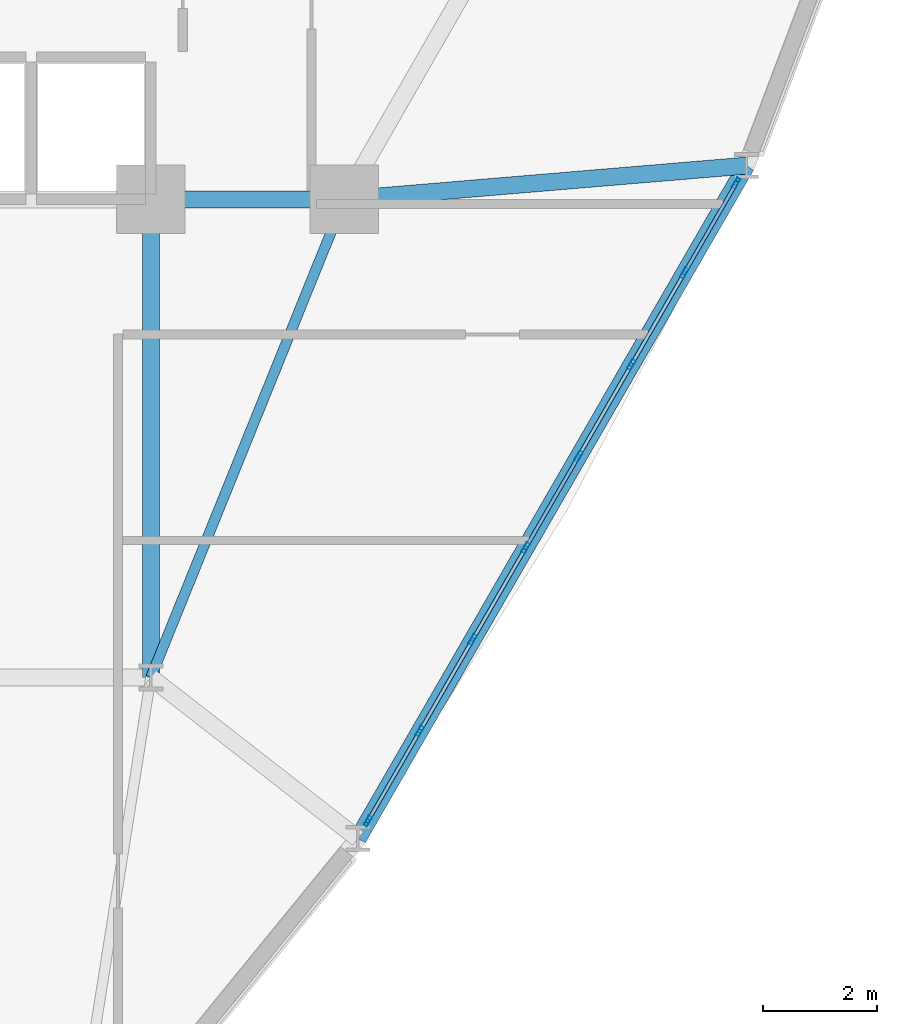
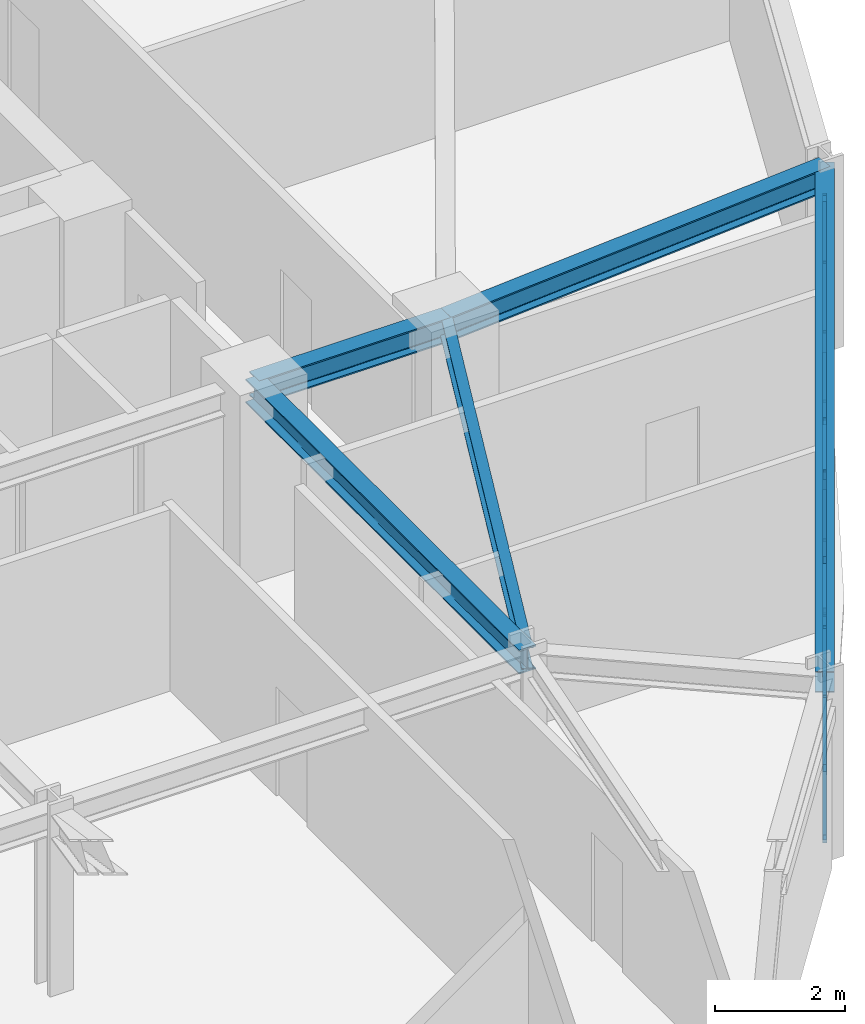
# One storey, part 6 of 17: 25 members, 5 beams, 1 element without a shape of its own.
"""IFC4 building model written with IfcOpenShell, lengths in metres."""

import ifcopenshell
import ifcopenshell.guid

model = None  # the IFC model being written
_history = None  # IfcOwnerHistory: only IFC2X3 demands one
_inside = {}  # id of a spatial element -> (the spatial element, [elements in it])
_under = {}  # id of a project, library or spatial element -> (it, [spatial elements below it])
_declared = {}  # id of a project -> (the project, [libraries it declares])
_typed = {}  # id of a type object -> (the type object, [elements of that type])
_made_of = {}  # id of a material, layer set ... -> (it, [elements and type objects made of it])


def new_model(schema):
    """Start an empty IFC model of exactly this schema.

    Asked for "IFC4X3", IfcOpenShell would pick the latest addendum, in which some entities
    have other attributes; the version numbers below select the first issue.
    IFC2X3 requires an IfcOwnerHistory on every rooted entity: one is made here for all.
    """
    global model, _history
    if schema == "IFC4X3":
        model = ifcopenshell.file(schema_version=(4, 3, 0, 0))
    else:
        model = ifcopenshell.file(schema=schema)
    _inside.clear()
    _under.clear()
    _declared.clear()
    _typed.clear()
    _made_of.clear()
    _history = None
    if model.schema == "IFC2X3":
        org = make("IfcOrganization", Name="unknown")
        user = make(
            "IfcPersonAndOrganization",
            ThePerson=make("IfcPerson", FamilyName="unknown"),
            TheOrganization=org,
        )
        app = make(
            "IfcApplication",
            ApplicationDeveloper=org,
            Version="unknown",
            ApplicationFullName="unknown",
            ApplicationIdentifier="unknown",
        )
        _history = make(
            "IfcOwnerHistory",
            OwningUser=user,
            OwningApplication=app,
            ChangeAction="ADDED",
            CreationDate=0,
        )
    return model


def make(cls, **values):
    """One entity of the class cls with the attributes given. An attribute that is None is left unset."""
    return model.create_entity(
        cls, **{name: value for name, value in values.items() if value is not None}
    )


def rooted(cls, **values):
    """An entity with a GlobalId (a new one), such as an element, a storey or a relation."""
    return make(cls, GlobalId=ifcopenshell.guid.new(), OwnerHistory=_history, **values)


def si_unit(unit_type, name, prefix=None):
    """IfcSIUnit, for example si_unit("LENGTHUNIT", "METRE", prefix="MILLI")."""
    return make("IfcSIUnit", UnitType=unit_type, Prefix=prefix, Name=name)


def derived_unit(unit_type, elements):
    """IfcDerivedUnit: a product of units, each with its exponent."""
    return make(
        "IfcDerivedUnit",
        Elements=[
            make("IfcDerivedUnitElement", Unit=unit, Exponent=power)
            for unit, power in elements
        ],
        UnitType=unit_type,
    )


def assignment(units):
    """IfcUnitAssignment: the units of a project."""
    return None if units is None else make("IfcUnitAssignment", Units=units)


def point(xyz):
    """IfcCartesianPoint."""
    return None if xyz is None else make("IfcCartesianPoint", Coordinates=xyz)


def direction(xyz):
    """IfcDirection."""
    return None if xyz is None else make("IfcDirection", DirectionRatios=xyz)


def frame(location, z_axis=None, x_axis=None):
    """IfcAxis2Placement3D, a coordinate frame: its origin and axes. An axis left out is left unset."""
    return make(
        "IfcAxis2Placement3D",
        Location=point(location),
        Axis=direction(z_axis),
        RefDirection=direction(x_axis),
    )


def frame_2d(location, x_axis=None):
    """IfcAxis2Placement2D, a coordinate frame in the plane: its origin and x axis."""
    return make(
        "IfcAxis2Placement2D", Location=point(location), RefDirection=direction(x_axis)
    )


def origin():
    """The frame at (0, 0, 0) with its axes left unset."""
    return frame((0.0, 0.0, 0.0))


def origin_2d():
    """The frame at (0, 0) in the plane with its x axis left unset."""
    return frame_2d((0.0, 0.0))


def place(relative_to, where):
    """IfcLocalPlacement: puts the frame where relative to a parent placement (None: the world)."""
    return make(
        "IfcLocalPlacement", PlacementRelTo=relative_to, RelativePlacement=where
    )


def context(
    kind, dimensions, precision=None, world=None, true_north=None, identifier=None
):
    """IfcGeometricRepresentationContext, for example the 3D "Model" context."""
    return make(
        "IfcGeometricRepresentationContext",
        ContextIdentifier=identifier,
        ContextType=kind,
        CoordinateSpaceDimension=dimensions,
        Precision=precision,
        WorldCoordinateSystem=world,
        TrueNorth=true_north,
    )


def subcontext(parent, identifier, kind, view, scale=None):
    """IfcGeometricRepresentationSubContext, for example "Body" below "Model"."""
    return make(
        "IfcGeometricRepresentationSubContext",
        ContextIdentifier=identifier,
        ContextType=kind,
        ParentContext=parent,
        TargetScale=scale,
        TargetView=view,
    )


def project(units=None, contexts=None):
    """IfcProject with its units and contexts."""
    return rooted(
        "IfcProject",
        Name="project",
        RepresentationContexts=contexts,
        UnitsInContext=assignment(units),
    )


def spatial(cls, under=None, at=None, **own):
    """A site, building, storey or space (cls), placed at a placement, below another one or the project."""
    s = rooted(cls, ObjectPlacement=at, **own)
    if under is not None:
        _under.setdefault(under.id(), (under, []))[1].append(s)
    return s


def profile(cls, at=None, kind="AREA", **sizes):
    """A parametric profile (cls). Its sizes go by their IFC names, for example OverallWidth=200.0."""
    return make(cls, ProfileType=kind, Position=at, **sizes)


def hollow_rectangle(**sizes):
    """IfcRectangleHollowProfileDef."""
    return profile("IfcRectangleHollowProfileDef", **sizes)


def i_section(**sizes):
    """IfcIShapeProfileDef."""
    return profile("IfcIShapeProfileDef", **sizes)


def extrude(swept, where, along, depth):
    """IfcExtrudedAreaSolid: the profile swept, set in the frame where, extruded along a direction by depth."""
    return make(
        "IfcExtrudedAreaSolid",
        SweptArea=swept,
        Position=where,
        ExtrudedDirection=direction(along),
        Depth=depth,
    )


def shape(context_of_items, identifier, shape_type, items):
    """IfcShapeRepresentation: the items that make up one representation, for example the "Body"."""
    return make(
        "IfcShapeRepresentation",
        ContextOfItems=context_of_items,
        RepresentationIdentifier=identifier,
        RepresentationType=shape_type,
        Items=items,
    )


def source(mapping_origin, context_of_items, identifier, shape_type, items):
    """IfcRepresentationMap: a shape defined once, which mapped items show again and again."""
    return make(
        "IfcRepresentationMap",
        MappingOrigin=mapping_origin,
        MappedRepresentation=shape(context_of_items, identifier, shape_type, items),
    )


def transform(
    local_origin,
    x_axis=None,
    y_axis=None,
    z_axis=None,
    scale=None,
    scale2=None,
    scale3=None,
    uniform=True,
):
    """IfcCartesianTransformationOperator3D, or its non-uniform kind. x_axis, y_axis, z_axis: its Axis1, 2, 3."""
    if uniform:
        return make(
            "IfcCartesianTransformationOperator3D",
            Axis1=direction(x_axis),
            Axis2=direction(y_axis),
            LocalOrigin=point(local_origin),
            Scale=scale,
            Axis3=direction(z_axis),
        )
    return make(
        "IfcCartesianTransformationOperator3DnonUniform",
        Axis1=direction(x_axis),
        Axis2=direction(y_axis),
        LocalOrigin=point(local_origin),
        Scale=scale,
        Axis3=direction(z_axis),
        Scale2=scale2,
        Scale3=scale3,
    )


def mapped(mapping_source, mapping_target):
    """IfcMappedItem: shows the shape of a source again, moved by a transform."""
    return make(
        "IfcMappedItem", MappingSource=mapping_source, MappingTarget=mapping_target
    )


def material(Name=None, Category=None):
    """IfcMaterial."""
    return make("IfcMaterial", Name=Name, Category=Category)


def layer(
    of_material, thickness, ventilated=None, Name=None, Category=None, Priority=None
):
    """IfcMaterialLayer: one layer of a wall or slab, of a material (None: an air gap)."""
    return make(
        "IfcMaterialLayer",
        Material=of_material,
        LayerThickness=thickness,
        IsVentilated=ventilated,
        Name=Name,
        Category=Category,
        Priority=Priority,
    )


def layer_set(layers, Name=None):
    """IfcMaterialLayerSet."""
    return make("IfcMaterialLayerSet", MaterialLayers=layers, LayerSetName=Name)


def material_profile(
    of_material, cross_section, Name=None, Category=None, Priority=None
):
    """IfcMaterialProfile: a cross section and its material."""
    return make(
        "IfcMaterialProfile",
        Name=Name,
        Material=of_material,
        Profile=cross_section,
        Priority=Priority,
        Category=Category,
    )


def profile_set(profiles, Name=None, composite=None):
    """IfcMaterialProfileSet."""
    return make(
        "IfcMaterialProfileSet",
        Name=Name,
        MaterialProfiles=profiles,
        CompositeProfile=composite,
    )


def made_of(thing, what):
    """Note that an element or type object is made of a material, layer set ...; save() writes the relation."""
    if what is not None:
        _made_of.setdefault(what.id(), (what, []))[1].append(thing)
    return thing


def type_object(cls, material=None, **own):
    """A type object (cls), such as IfcWallType, which elements share."""
    return made_of(rooted(cls, **own), material)


def element(
    cls,
    number,
    at=None,
    inside=None,
    cuts=None,
    type_object=None,
    material=None,
    context=None,
    identifier="Body",
    shape_type=None,
    held_by="IfcProductDefinitionShape",
    body=None,
    shapes=None,
    **own,
):
    """One element of the class cls, such as IfcWall. Its Tag is "e" and its number.

    at: its placement. inside: the storey or other place that contains it. cuts: it is an
    opening in that element (IfcRelVoidsElement). A single representation is given by context,
    identifier, shape_type and body (its items); several are given by shapes. held_by: the class
    of the entity that holds the representations. save() writes the other relations.
    """
    e = rooted(cls, Tag="e%d" % number, ObjectPlacement=at, **own)
    if body is not None:
        shapes = [shape(context, identifier, shape_type, body)]
    if shapes is not None:
        e.Representation = make(held_by, Representations=shapes)
    if inside is not None:
        _inside.setdefault(inside.id(), (inside, []))[1].append(e)
    if cuts is not None:
        rooted(
            "IfcRelVoidsElement", RelatingBuildingElement=cuts, RelatedOpeningElement=e
        )
    if type_object is not None:
        _typed.setdefault(type_object.id(), (type_object, []))[1].append(e)
    return made_of(e, material)


def aggregate(whole, parts):
    """IfcRelAggregates: a whole, such as a stair, and the parts it consists of."""
    return rooted("IfcRelAggregates", RelatingObject=whole, RelatedObjects=parts)


def save(model, path):
    """Write the relations noted so far, then the file.

    IfcRelAggregates (storeys below a building ...), IfcRelContainedInSpatialStructure (elements
    in a storey), IfcRelDefinesByType, IfcRelAssociatesMaterial and IfcRelDeclares: one each for
    every whole, place, type object, material and project.
    """
    for whole, parts in _under.values():
        aggregate(whole, parts)
    for where, things in _inside.values():
        rooted(
            "IfcRelContainedInSpatialStructure",
            RelatedElements=things,
            RelatingStructure=where,
        )
    for kind, things in _typed.values():
        rooted("IfcRelDefinesByType", RelatedObjects=things, RelatingType=kind)
    for what, things in _made_of.values():
        rooted("IfcRelAssociatesMaterial", RelatedObjects=things, RelatingMaterial=what)
    for by, libraries in _declared.values():
        rooted("IfcRelDeclares", RelatingContext=by, RelatedDefinitions=libraries)
    model.write(path)


model = new_model("IFC4")

# Units and contexts
model_context = context("Model", 3, precision=1e-05, world=origin(), true_north=direction((0.0, 1.0)))
body_context = subcontext(model_context, "Body", "Model", "MODEL_VIEW")
ifc_project = project(units=[si_unit("LENGTHUNIT", "METRE"), si_unit("AREAUNIT", "SQUARE_METRE"), si_unit("VOLUMEUNIT", "CUBIC_METRE"), si_unit("PLANEANGLEUNIT", "RADIAN"), si_unit("MASSUNIT", "GRAM", prefix="KILO"), derived_unit("THERMALTRANSMITTANCEUNIT", [(si_unit("POWERUNIT", "WATT"), 1), (si_unit("LENGTHUNIT", "METRE"), -2), (si_unit("THERMODYNAMICTEMPERATUREUNIT", "KELVIN"), -1)])], contexts=[model_context])

# Site, building, storey
site_placement = place(None, origin())
site = spatial("IfcSite", under=ifc_project, at=site_placement, CompositionType="ELEMENT")
building_placement = place(site_placement, origin())
building = spatial("IfcBuilding", under=site, at=building_placement, Name="Korsvarv Bourse and Concert Hall", CompositionType="ELEMENT")
storey_placement = place(building_placement, frame((0.0, 0.0, 124.199951171875)))
storey = spatial("IfcBuildingStorey", under=building, at=storey_placement, Name="L31", CompositionType="ELEMENT", Elevation=124.199951171875)

# Beams
ifc_material_1 = material(Name="Steel S355", Category="steel")
ifc_material_profile_1 = material_profile(ifc_material_1, i_section(OverallWidth=0.179931640625, OverallDepth=0.39990234375, WebThickness=0.008544921875, FlangeThickness=0.013427734375, FilletRadius=0.02099609375, at=origin_2d()), Name="IPE 400")
ifc_profile_set_1 = profile_set([ifc_material_profile_1], Name="Steel S355")
beam_type_1 = type_object("IfcBeamType", Name="BM-IPE400", PredefinedType="JOIST", material=ifc_profile_set_1)
shared_shape_1 = source(origin(), body_context, "Body", "SweptSolid", [
    extrude(i_section(OverallWidth=0.179931640625, OverallDepth=0.39990234375, WebThickness=0.008544921875, FlangeThickness=0.013427734375, FilletRadius=0.02099609375, at=origin_2d()), origin(), (0.0, 0.0, 1.0), 9.06201171875),
])
beam_1_placement = place(storey_placement, frame((47.800048828125, 32.39990234375, 3.199951171875), z_axis=(-0.375210394783, -0.926939674222, 0.0), x_axis=(0.926939674222, -0.375210394783, 0.0)))
element("IfcBeam", 1, at=beam_1_placement, inside=storey, type_object=beam_type_1, Name="L31 beam J-05", PredefinedType="JOIST", context=body_context, shape_type="MappedRepresentation", body=[
    mapped(shared_shape_1, transform((0.0, 0.0, 0.0), scale=1.0)),
])
ifc_material_profile_2 = material_profile(ifc_material_1, i_section(OverallWidth=0.300048828125, OverallDepth=0.449951171875, WebThickness=0.013916015625, FlangeThickness=0.02587890625, FilletRadius=0.02099609375, at=origin_2d()), Name="HEB 450")
ifc_profile_set_2 = profile_set([ifc_material_profile_2], Name="Steel S355")
beam_type_2 = type_object("IfcBeamType", Name="BM-HEB450", PredefinedType="SPANDREL", material=ifc_profile_set_2)
shared_shape_2 = source(origin(), body_context, "Body", "SweptSolid", [
    extrude(i_section(OverallWidth=0.300048828125, OverallDepth=0.449951171875, WebThickness=0.013916015625, FlangeThickness=0.02587890625, FilletRadius=0.02099609375, at=origin_2d()), origin(), (0.0, 0.0, 1.0), 3.400146484375),
])
beam_2_placement = place(storey_placement, frame((44.39990234375, 32.39990234375, 3.175048828125), z_axis=(1.0, 0.0, 0.0), x_axis=(0.0, 1.0, 0.0)))
element("IfcBeam", 2, at=beam_2_placement, inside=storey, type_object=beam_type_2, Name="L31 beam B-08", PredefinedType="SPANDREL", context=body_context, shape_type="MappedRepresentation", body=[
    mapped(shared_shape_2, transform((0.0, 0.0, 0.0), scale=1.0)),
])
shared_shape_3 = source(origin(), body_context, "Body", "SweptSolid", [
    extrude(i_section(OverallWidth=0.300048828125, OverallDepth=0.449951171875, WebThickness=0.013916015625, FlangeThickness=0.02587890625, FilletRadius=0.02099609375, at=origin_2d()), origin(), (0.0, 0.0, 1.0), 8.39990234375),
])
beam_3_placement = place(storey_placement, frame((44.39990234375, 24.0, 3.175048828125), z_axis=(0.0, 1.0, 0.0), x_axis=(-1.0, 0.0, 0.0)))
element("IfcBeam", 3, at=beam_3_placement, inside=storey, type_object=beam_type_2, Name="L31 beam B-08", PredefinedType="SPANDREL", context=body_context, shape_type="MappedRepresentation", body=[
    mapped(shared_shape_3, transform((0.0, 0.0, 0.0), scale=1.0)),
])
ifc_material_profile_3 = material_profile(ifc_material_1, i_section(OverallWidth=0.300048828125, OverallDepth=0.39990234375, WebThickness=0.013427734375, FlangeThickness=0.02392578125, FilletRadius=0.02099609375, at=origin_2d()), Name="HEB 400")
ifc_profile_set_3 = profile_set([ifc_material_profile_3], Name="Steel S355")
beam_type_3 = type_object("IfcBeamType", Name="BM-HEB400", PredefinedType="SPANDREL", material=ifc_profile_set_3)
shared_shape_4 = source(origin(), body_context, "Body", "SweptSolid", [
    extrude(i_section(OverallWidth=0.300048828125, OverallDepth=0.39990234375, WebThickness=0.013427734375, FlangeThickness=0.02392578125, FilletRadius=0.02099609375, at=origin_2d()), origin(), (0.0, 0.0, 1.0), 13.6533203125),
])
beam_4_placement = place(storey_placement, frame((48.03759765625, 21.167236328125, 3.199951171875), z_axis=(0.499996939111, 0.866027170982, 0.0), x_axis=(-0.866027170982, 0.499996939111, 0.0)))
element("IfcBeam", 4, at=beam_4_placement, inside=storey, type_object=beam_type_3, Name="L31 beam B-09", PredefinedType="SPANDREL", context=body_context, shape_type="MappedRepresentation", body=[
    mapped(shared_shape_4, transform((0.0, 0.0, 0.0), scale=1.0)),
])
shared_shape_5 = source(origin(), body_context, "Body", "SweptSolid", [
    extrude(i_section(OverallWidth=0.300048828125, OverallDepth=0.449951171875, WebThickness=0.013916015625, FlangeThickness=0.02587890625, FilletRadius=0.02099609375, at=origin_2d()), origin(), (0.0, 0.0, 1.0), 7.0888671875),
])
beam_5_placement = place(storey_placement, frame((54.8642578125, 32.991455078125, 3.175048828125), z_axis=(-0.996512187592, -0.083447348558, 0.0), x_axis=(0.083447348558, -0.996512187592, 0.0)))
element("IfcBeam", 5, at=beam_5_placement, inside=storey, type_object=beam_type_2, Name="L31 beam B-08", PredefinedType="SPANDREL", context=body_context, shape_type="MappedRepresentation", body=[
    mapped(shared_shape_5, transform((0.0, 0.0, 0.0), scale=1.0)),
])

# Curtain wall, members
ifc_material_2 = material(Name="Anodised aluminium and triple low-E glazing", Category="glass")
ifc_layer = layer(ifc_material_2, 0.2099609375)
ifc_layer_set = layer_set([ifc_layer], Name="Anodised aluminium and triple low-E glazing")
curtain_wall_type = type_object("IfcCurtainWallType", Name="CW-SYS-2", PredefinedType="NOTDEFINED", material=ifc_layer_set)
curtain_wall_placement = place(storey_placement, origin())
curtain_wall = element("IfcCurtainWall", 6, at=curtain_wall_placement, inside=storey, type_object=curtain_wall_type, Name="L31 CW2 curtain wall CW-L31-F11", PredefinedType="NOTDEFINED")
ifc_material_3 = material(Name="Extruded aluminium EN AW-6063 T66", Category="aluminium")
ifc_material_profile_4 = material_profile(ifc_material_3, hollow_rectangle(XDim=0.070068359375, YDim=0.18994140625, WallThickness=0.0048828125, at=origin_2d()), Name="ALU-M 70x190")
ifc_profile_set_4 = profile_set([ifc_material_profile_4], Name="Extruded aluminium EN AW-6063 T66")
member_type_1 = type_object("IfcMemberType", Name="CWM-190", PredefinedType="MULLION", material=ifc_profile_set_4)
shared_shape_6 = source(origin(), body_context, "Body", "SweptSolid", [
    extrude(hollow_rectangle(XDim=0.070068359375, YDim=0.18994140625, WallThickness=0.0048828125, at=origin_2d()), origin(), (0.0, 0.0, 1.0), 3.0),
])
member_1_placement = place(storey_placement, frame((48.215087890625, 21.47509765625, 0.0), z_axis=(0.0, 0.0, 1.0), x_axis=(-0.866021265954, 0.500007166863, 0.0)))
member_1 = element("IfcMember", 7, at=member_1_placement, type_object=member_type_1, Name="CW2 mullion 1", PredefinedType="MULLION", context=body_context, shape_type="MappedRepresentation", body=[
    mapped(shared_shape_6, transform((0.0, 0.0, 0.0), scale=1.0)),
])
member_2_placement = place(storey_placement, frame((49.127197265625, 23.0546875, 0.0), z_axis=(0.0, 0.0, 1.0), x_axis=(-0.866021265954, 0.500007166863, 0.0)))
member_2 = element("IfcMember", 8, at=member_2_placement, type_object=member_type_1, Name="CW2 mullion 2", PredefinedType="MULLION", context=body_context, shape_type="MappedRepresentation", body=[
    mapped(shared_shape_6, transform((0.0, 0.0, 0.0), scale=1.0)),
])
member_3_placement = place(storey_placement, frame((50.056640625, 24.66455078125, 0.0), z_axis=(0.0, 0.0, 1.0), x_axis=(-0.866021265954, 0.500007166863, 0.0)))
member_3 = element("IfcMember", 9, at=member_3_placement, type_object=member_type_1, Name="CW2 mullion 3", PredefinedType="MULLION", context=body_context, shape_type="MappedRepresentation", body=[
    mapped(shared_shape_6, transform((0.0, 0.0, 0.0), scale=1.0)),
])
member_4_placement = place(storey_placement, frame((50.986083984375, 26.2744140625, 0.0), z_axis=(0.0, 0.0, 1.0), x_axis=(-0.866021265954, 0.500007166863, 0.0)))
member_4 = element("IfcMember", 10, at=member_4_placement, type_object=member_type_1, Name="CW2 mullion 4", PredefinedType="MULLION", context=body_context, shape_type="MappedRepresentation", body=[
    mapped(shared_shape_6, transform((0.0, 0.0, 0.0), scale=1.0)),
])
member_5_placement = place(storey_placement, frame((51.91552734375, 27.88427734375, 0.0), z_axis=(0.0, 0.0, 1.0), x_axis=(-0.866021265954, 0.500007166863, 0.0)))
member_5 = element("IfcMember", 11, at=member_5_placement, type_object=member_type_1, Name="CW2 mullion 5", PredefinedType="MULLION", context=body_context, shape_type="MappedRepresentation", body=[
    mapped(shared_shape_6, transform((0.0, 0.0, 0.0), scale=1.0)),
])
member_6_placement = place(storey_placement, frame((52.84521484375, 29.494140625, 0.0), z_axis=(0.0, 0.0, 1.0), x_axis=(-0.866021265954, 0.500007166863, 0.0)))
member_6 = element("IfcMember", 12, at=member_6_placement, type_object=member_type_1, Name="CW2 mullion 6", PredefinedType="MULLION", context=body_context, shape_type="MappedRepresentation", body=[
    mapped(shared_shape_6, transform((0.0, 0.0, 0.0), scale=1.0)),
])
member_7_placement = place(storey_placement, frame((53.774658203125, 31.10400390625, 0.0), z_axis=(0.0, 0.0, 1.0), x_axis=(-0.866021265954, 0.500007166863, 0.0)))
member_7 = element("IfcMember", 13, at=member_7_placement, type_object=member_type_1, Name="CW2 mullion 7", PredefinedType="MULLION", context=body_context, shape_type="MappedRepresentation", body=[
    mapped(shared_shape_6, transform((0.0, 0.0, 0.0), scale=1.0)),
])
member_8_placement = place(storey_placement, frame((54.6865234375, 32.68359375, 0.0), z_axis=(0.0, 0.0, 1.0), x_axis=(-0.866021265954, 0.500007166863, 0.0)))
member_8 = element("IfcMember", 14, at=member_8_placement, type_object=member_type_1, Name="CW2 mullion 8", PredefinedType="MULLION", context=body_context, shape_type="MappedRepresentation", body=[
    mapped(shared_shape_6, transform((0.0, 0.0, 0.0), scale=1.0)),
])
ifc_material_profile_5 = material_profile(ifc_material_3, hollow_rectangle(XDim=0.06494140625, YDim=0.139892578125, WallThickness=0.00390625, at=origin_2d()), Name="ALU-T 65x140")
ifc_profile_set_5 = profile_set([ifc_material_profile_5], Name="Extruded aluminium EN AW-6063 T66")
member_type_2 = type_object("IfcMemberType", Name="CWT-140", PredefinedType="USERDEFINED", material=ifc_profile_set_5)
shared_shape_7 = source(origin(), body_context, "Body", "SweptSolid", [
    extrude(hollow_rectangle(XDim=0.06494140625, YDim=0.139892578125, WallThickness=0.00390625, at=origin_2d()), origin(), (0.0, 0.0, 1.0), 1.75390625),
])
member_9_placement = place(storey_placement, frame((48.232666015625, 21.50537109375, 0.032470703125), z_axis=(0.499971461383, 0.866041879935, 0.0), x_axis=(-0.866041879935, 0.499971461383, 0.0)))
member_9 = element("IfcMember", 15, at=member_9_placement, type_object=member_type_2, Name="CW2 transom 1.1", ObjectType="TRANSOM", PredefinedType="USERDEFINED", context=body_context, shape_type="MappedRepresentation", body=[
    mapped(shared_shape_7, transform((0.0, 0.0, 0.0), scale=1.0)),
])
member_10_placement = place(storey_placement, frame((48.232666015625, 21.50537109375, 2.967529296875), z_axis=(0.499971461383, 0.866041879935, 0.0), x_axis=(-0.866041879935, 0.499971461383, 0.0)))
member_10 = element("IfcMember", 16, at=member_10_placement, type_object=member_type_2, Name="CW2 transom 1.2", ObjectType="TRANSOM", PredefinedType="USERDEFINED", context=body_context, shape_type="MappedRepresentation", body=[
    mapped(shared_shape_7, transform((0.0, 0.0, 0.0), scale=1.0)),
])
member_11_placement = place(storey_placement, frame((53.792236328125, 31.134521484375, 0.032470703125), z_axis=(0.500031736301, 0.866007080047, 0.0), x_axis=(-0.866007080047, 0.500031736301, 0.0)))
member_11 = element("IfcMember", 17, at=member_11_placement, type_object=member_type_2, Name="CW2 transom 7.1", ObjectType="TRANSOM", PredefinedType="USERDEFINED", context=body_context, shape_type="MappedRepresentation", body=[
    mapped(shared_shape_7, transform((0.0, 0.0, 0.0), scale=1.0)),
])
member_12_placement = place(storey_placement, frame((53.792236328125, 31.134521484375, 2.967529296875), z_axis=(0.500031736301, 0.866007080047, 0.0), x_axis=(-0.866007080047, 0.500031736301, 0.0)))
member_12 = element("IfcMember", 18, at=member_12_placement, type_object=member_type_2, Name="CW2 transom 7.2", ObjectType="TRANSOM", PredefinedType="USERDEFINED", context=body_context, shape_type="MappedRepresentation", body=[
    mapped(shared_shape_7, transform((0.0, 0.0, 0.0), scale=1.0)),
])
shared_shape_8 = source(origin(), body_context, "Body", "SweptSolid", [
    extrude(hollow_rectangle(XDim=0.06494140625, YDim=0.139892578125, WallThickness=0.00390625, at=origin_2d()), origin(), (0.0, 0.0, 1.0), 1.788818359375),
])
member_13_placement = place(storey_placement, frame((49.144775390625, 23.0849609375, 0.032470703125), z_axis=(0.499911478227, 0.866076505822, 0.0), x_axis=(-0.866076505822, 0.499911478227, 0.0)))
member_13 = element("IfcMember", 19, at=member_13_placement, type_object=member_type_2, Name="CW2 transom 2.1", ObjectType="TRANSOM", PredefinedType="USERDEFINED", context=body_context, shape_type="MappedRepresentation", body=[
    mapped(shared_shape_8, transform((0.0, 0.0, 0.0), scale=1.0)),
])
member_14_placement = place(storey_placement, frame((49.144775390625, 23.0849609375, 2.967529296875), z_axis=(0.499911478227, 0.866076505822, 0.0), x_axis=(-0.866076505822, 0.499911478227, 0.0)))
member_14 = element("IfcMember", 20, at=member_14_placement, type_object=member_type_2, Name="CW2 transom 2.2", ObjectType="TRANSOM", PredefinedType="USERDEFINED", context=body_context, shape_type="MappedRepresentation", body=[
    mapped(shared_shape_8, transform((0.0, 0.0, 0.0), scale=1.0)),
])
member_15_placement = place(storey_placement, frame((52.862548828125, 29.524658203125, 0.032470703125), z_axis=(0.500072935515, 0.86598329035, 0.0), x_axis=(-0.86598329035, 0.500072935515, 0.0)))
member_15 = element("IfcMember", 21, at=member_15_placement, type_object=member_type_2, Name="CW2 transom 6.1", ObjectType="TRANSOM", PredefinedType="USERDEFINED", context=body_context, shape_type="MappedRepresentation", body=[
    mapped(shared_shape_8, transform((0.0, 0.0, 0.0), scale=1.0)),
])
member_16_placement = place(storey_placement, frame((52.862548828125, 29.524658203125, 2.967529296875), z_axis=(0.500072935515, 0.86598329035, 0.0), x_axis=(-0.86598329035, 0.500072935515, 0.0)))
member_16 = element("IfcMember", 22, at=member_16_placement, type_object=member_type_2, Name="CW2 transom 6.2", ObjectType="TRANSOM", PredefinedType="USERDEFINED", context=body_context, shape_type="MappedRepresentation", body=[
    mapped(shared_shape_8, transform((0.0, 0.0, 0.0), scale=1.0)),
])
shared_shape_9 = source(origin(), body_context, "Body", "SweptSolid", [
    extrude(hollow_rectangle(XDim=0.06494140625, YDim=0.139892578125, WallThickness=0.00390625, at=origin_2d()), origin(), (0.0, 0.0, 1.0), 1.7890625),
])
member_17_placement = place(storey_placement, frame((50.07421875, 24.69482421875, 0.032470703125), z_axis=(0.500013836808, 0.866017414952, 0.0), x_axis=(-0.866017414952, 0.500013836808, 0.0)))
member_17 = element("IfcMember", 23, at=member_17_placement, type_object=member_type_2, Name="CW2 transom 3.1", ObjectType="TRANSOM", PredefinedType="USERDEFINED", context=body_context, shape_type="MappedRepresentation", body=[
    mapped(shared_shape_9, transform((0.0, 0.0, 0.0), scale=1.0)),
])
member_18_placement = place(storey_placement, frame((50.07421875, 24.69482421875, 2.967529296875), z_axis=(0.500013836808, 0.866017414952, 0.0), x_axis=(-0.866017414952, 0.500013836808, 0.0)))
member_18 = element("IfcMember", 24, at=member_18_placement, type_object=member_type_2, Name="CW2 transom 3.2", ObjectType="TRANSOM", PredefinedType="USERDEFINED", context=body_context, shape_type="MappedRepresentation", body=[
    mapped(shared_shape_9, transform((0.0, 0.0, 0.0), scale=1.0)),
])
member_19_placement = place(storey_placement, frame((51.003662109375, 26.3046875, 0.032470703125), z_axis=(0.500013836808, 0.866017414952, 0.0), x_axis=(-0.866017414952, 0.500013836808, 0.0)))
member_19 = element("IfcMember", 25, at=member_19_placement, type_object=member_type_2, Name="CW2 transom 4.1", ObjectType="TRANSOM", PredefinedType="USERDEFINED", context=body_context, shape_type="MappedRepresentation", body=[
    mapped(shared_shape_9, transform((0.0, 0.0, 0.0), scale=1.0)),
])
member_20_placement = place(storey_placement, frame((51.003662109375, 26.3046875, 2.967529296875), z_axis=(0.500013836808, 0.866017414952, 0.0), x_axis=(-0.866017414952, 0.500013836808, 0.0)))
member_20 = element("IfcMember", 26, at=member_20_placement, type_object=member_type_2, Name="CW2 transom 4.2", ObjectType="TRANSOM", PredefinedType="USERDEFINED", context=body_context, shape_type="MappedRepresentation", body=[
    mapped(shared_shape_9, transform((0.0, 0.0, 0.0), scale=1.0)),
])
member_21_placement = place(storey_placement, frame((51.93310546875, 27.91455078125, 0.032470703125), z_axis=(0.500013836808, 0.866017414952, 0.0), x_axis=(-0.866017414952, 0.500013836808, 0.0)))
member_21 = element("IfcMember", 27, at=member_21_placement, type_object=member_type_2, Name="CW2 transom 5.1", ObjectType="TRANSOM", PredefinedType="USERDEFINED", context=body_context, shape_type="MappedRepresentation", body=[
    mapped(shared_shape_9, transform((0.0, 0.0, 0.0), scale=1.0)),
])
member_22_placement = place(storey_placement, frame((51.93310546875, 27.91455078125, 2.967529296875), z_axis=(0.500013836808, 0.866017414952, 0.0), x_axis=(-0.866017414952, 0.500013836808, 0.0)))
member_22 = element("IfcMember", 28, at=member_22_placement, type_object=member_type_2, Name="CW2 transom 5.2", ObjectType="TRANSOM", PredefinedType="USERDEFINED", context=body_context, shape_type="MappedRepresentation", body=[
    mapped(shared_shape_9, transform((0.0, 0.0, 0.0), scale=1.0)),
])
ifc_material_profile_6 = material_profile(ifc_material_3, hollow_rectangle(XDim=0.06494140625, YDim=0.1650390625, WallThickness=0.0048828125, at=origin_2d()), Name="ALU-M 65x165")
ifc_profile_set_6 = profile_set([ifc_material_profile_6], Name="Extruded aluminium EN AW-6063 T66")
member_type_3 = type_object("IfcMemberType", Name="CWM-165", PredefinedType="MULLION", material=ifc_profile_set_6)
shared_shape_10 = source(origin(), body_context, "Body", "SweptSolid", [
    extrude(hollow_rectangle(XDim=0.06494140625, YDim=0.1650390625, WallThickness=0.0048828125, at=origin_2d()), origin(), (0.0, 0.0, 1.0), 3.363525390625),
])
member_23_placement = place(storey_placement, frame((48.232666015625, 21.50537109375, 0.06494140625), z_axis=(0.260715086398, 0.451606143532, 0.853275767175), x_axis=(-0.866041879935, 0.499971461383, 0.0)))
member_23 = element("IfcMember", 29, at=member_23_placement, type_object=member_type_3, Name="CW2 diagonal mullion 1", PredefinedType="MULLION", context=body_context, shape_type="MappedRepresentation", body=[
    mapped(shared_shape_10, transform((0.0, 0.0, 0.0), scale=1.0)),
])
member_24_placement = place(storey_placement, frame((53.792236328125, 31.134521484375, 0.06494140625), z_axis=(0.260723631993, 0.451548361533, 0.853303735441), x_axis=(-0.866007080047, 0.500031736301, 0.0)))
member_24 = element("IfcMember", 30, at=member_24_placement, type_object=member_type_3, Name="CW2 diagonal mullion 7", PredefinedType="MULLION", context=body_context, shape_type="MappedRepresentation", body=[
    mapped(shared_shape_10, transform((0.0, 0.0, 0.0), scale=1.0)),
])
shared_shape_11 = source(origin(), body_context, "Body", "SweptSolid", [
    extrude(hollow_rectangle(XDim=0.06494140625, YDim=0.1650390625, WallThickness=0.0048828125, at=origin_2d()), origin(), (0.0, 0.0, 1.0), 3.382080078125),
])
member_25_placement = place(storey_placement, frame((51.898193359375, 27.85400390625, 0.06494140625), z_axis=(-0.264495209253, -0.458102237424, 0.848636921392), x_axis=(0.866017414952, -0.500013836808, 0.0)))
member_25 = element("IfcMember", 31, at=member_25_placement, type_object=member_type_3, Name="CW2 diagonal mullion 4", PredefinedType="MULLION", context=body_context, shape_type="MappedRepresentation", body=[
    mapped(shared_shape_11, transform((0.0, 0.0, 0.0), scale=1.0)),
])
aggregate(curtain_wall, [member_1, member_2, member_3, member_4, member_5, member_6, member_7, member_8, member_9, member_10, member_23, member_13, member_14, member_17, member_18, member_19, member_20, member_25, member_21, member_22, member_15, member_16, member_11, member_12, member_24])

save(model, "model.ifc")
